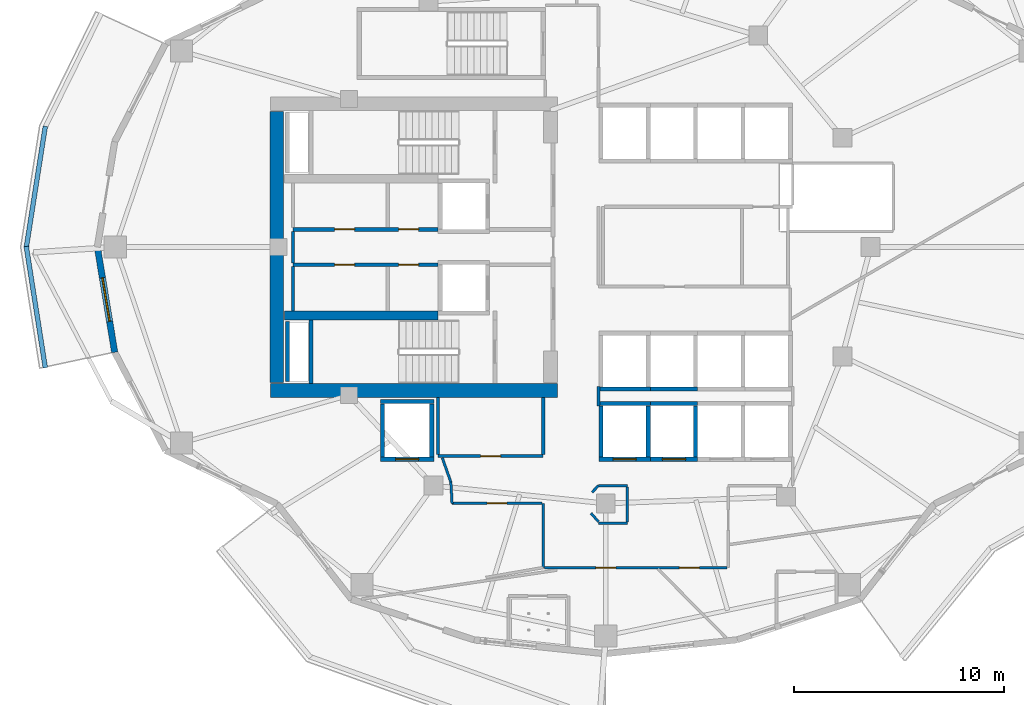
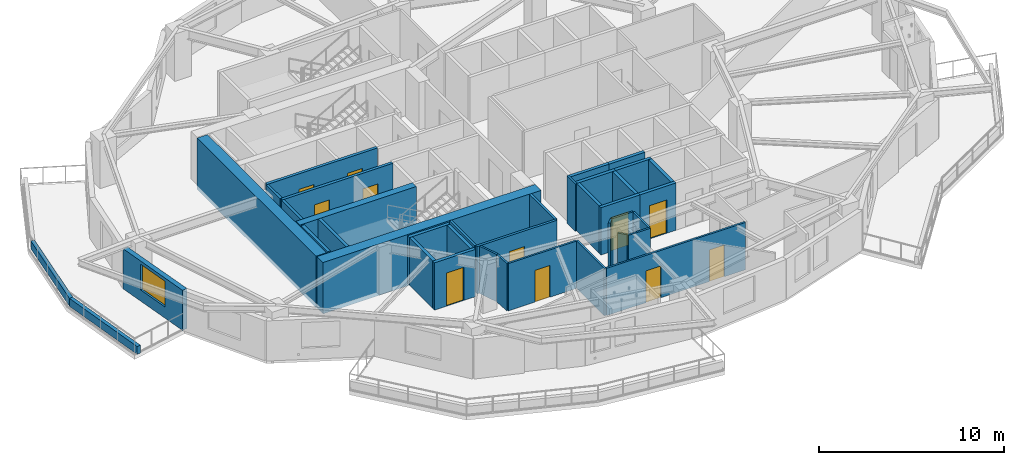
# One storey, part 3 of 14: 39 walls, 11 doors, 1 window, 12 openings.
"""IFC4 building model written with IfcOpenShell, lengths in metres."""

import ifcopenshell
import ifcopenshell.guid

model = None  # the IFC model being written
_history = None  # IfcOwnerHistory: only IFC2X3 demands one
_inside = {}  # id of a spatial element -> (the spatial element, [elements in it])
_under = {}  # id of a project, library or spatial element -> (it, [spatial elements below it])
_declared = {}  # id of a project -> (the project, [libraries it declares])
_typed = {}  # id of a type object -> (the type object, [elements of that type])
_made_of = {}  # id of a material, layer set ... -> (it, [elements and type objects made of it])


def new_model(schema):
    """Start an empty IFC model of exactly this schema.

    Asked for "IFC4X3", IfcOpenShell would pick the latest addendum, in which some entities
    have other attributes; the version numbers below select the first issue.
    IFC2X3 requires an IfcOwnerHistory on every rooted entity: one is made here for all.
    """
    global model, _history
    if schema == "IFC4X3":
        model = ifcopenshell.file(schema_version=(4, 3, 0, 0))
    else:
        model = ifcopenshell.file(schema=schema)
    _inside.clear()
    _under.clear()
    _declared.clear()
    _typed.clear()
    _made_of.clear()
    _history = None
    if model.schema == "IFC2X3":
        org = make("IfcOrganization", Name="unknown")
        user = make(
            "IfcPersonAndOrganization",
            ThePerson=make("IfcPerson", FamilyName="unknown"),
            TheOrganization=org,
        )
        app = make(
            "IfcApplication",
            ApplicationDeveloper=org,
            Version="unknown",
            ApplicationFullName="unknown",
            ApplicationIdentifier="unknown",
        )
        _history = make(
            "IfcOwnerHistory",
            OwningUser=user,
            OwningApplication=app,
            ChangeAction="ADDED",
            CreationDate=0,
        )
    return model


def make(cls, **values):
    """One entity of the class cls with the attributes given. An attribute that is None is left unset."""
    return model.create_entity(
        cls, **{name: value for name, value in values.items() if value is not None}
    )


def rooted(cls, **values):
    """An entity with a GlobalId (a new one), such as an element, a storey or a relation."""
    return make(cls, GlobalId=ifcopenshell.guid.new(), OwnerHistory=_history, **values)


def si_unit(unit_type, name, prefix=None):
    """IfcSIUnit, for example si_unit("LENGTHUNIT", "METRE", prefix="MILLI")."""
    return make("IfcSIUnit", UnitType=unit_type, Prefix=prefix, Name=name)


def assignment(units):
    """IfcUnitAssignment: the units of a project."""
    return None if units is None else make("IfcUnitAssignment", Units=units)


def point(xyz):
    """IfcCartesianPoint."""
    return None if xyz is None else make("IfcCartesianPoint", Coordinates=xyz)


def direction(xyz):
    """IfcDirection."""
    return None if xyz is None else make("IfcDirection", DirectionRatios=xyz)


def frame(location, z_axis=None, x_axis=None):
    """IfcAxis2Placement3D, a coordinate frame: its origin and axes. An axis left out is left unset."""
    return make(
        "IfcAxis2Placement3D",
        Location=point(location),
        Axis=direction(z_axis),
        RefDirection=direction(x_axis),
    )


def frame_2d(location, x_axis=None):
    """IfcAxis2Placement2D, a coordinate frame in the plane: its origin and x axis."""
    return make(
        "IfcAxis2Placement2D", Location=point(location), RefDirection=direction(x_axis)
    )


def origin():
    """The frame at (0, 0, 0) with its axes left unset."""
    return frame((0.0, 0.0, 0.0))


def place(relative_to, where):
    """IfcLocalPlacement: puts the frame where relative to a parent placement (None: the world)."""
    return make(
        "IfcLocalPlacement", PlacementRelTo=relative_to, RelativePlacement=where
    )


def context(
    kind, dimensions, precision=None, world=None, true_north=None, identifier=None
):
    """IfcGeometricRepresentationContext, for example the 3D "Model" context."""
    return make(
        "IfcGeometricRepresentationContext",
        ContextIdentifier=identifier,
        ContextType=kind,
        CoordinateSpaceDimension=dimensions,
        Precision=precision,
        WorldCoordinateSystem=world,
        TrueNorth=true_north,
    )


def subcontext(parent, identifier, kind, view, scale=None):
    """IfcGeometricRepresentationSubContext, for example "Body" below "Model"."""
    return make(
        "IfcGeometricRepresentationSubContext",
        ContextIdentifier=identifier,
        ContextType=kind,
        ParentContext=parent,
        TargetScale=scale,
        TargetView=view,
    )


def project(units=None, contexts=None):
    """IfcProject with its units and contexts."""
    return rooted(
        "IfcProject",
        Name="project",
        RepresentationContexts=contexts,
        UnitsInContext=assignment(units),
    )


def spatial(cls, under=None, at=None, **own):
    """A site, building, storey or space (cls), placed at a placement, below another one or the project."""
    s = rooted(cls, ObjectPlacement=at, **own)
    if under is not None:
        _under.setdefault(under.id(), (under, []))[1].append(s)
    return s


def profile(cls, at=None, kind="AREA", **sizes):
    """A parametric profile (cls). Its sizes go by their IFC names, for example OverallWidth=200.0."""
    return make(cls, ProfileType=kind, Position=at, **sizes)


def rectangle(**sizes):
    """IfcRectangleProfileDef."""
    return profile("IfcRectangleProfileDef", **sizes)


def extrude(swept, where, along, depth):
    """IfcExtrudedAreaSolid: the profile swept, set in the frame where, extruded along a direction by depth."""
    return make(
        "IfcExtrudedAreaSolid",
        SweptArea=swept,
        Position=where,
        ExtrudedDirection=direction(along),
        Depth=depth,
    )


def shape(context_of_items, identifier, shape_type, items):
    """IfcShapeRepresentation: the items that make up one representation, for example the "Body"."""
    return make(
        "IfcShapeRepresentation",
        ContextOfItems=context_of_items,
        RepresentationIdentifier=identifier,
        RepresentationType=shape_type,
        Items=items,
    )


def material(Name=None, Category=None):
    """IfcMaterial."""
    return make("IfcMaterial", Name=Name, Category=Category)


def layer(
    of_material, thickness, ventilated=None, Name=None, Category=None, Priority=None
):
    """IfcMaterialLayer: one layer of a wall or slab, of a material (None: an air gap)."""
    return make(
        "IfcMaterialLayer",
        Material=of_material,
        LayerThickness=thickness,
        IsVentilated=ventilated,
        Name=Name,
        Category=Category,
        Priority=Priority,
    )


def layer_set(layers, Name=None):
    """IfcMaterialLayerSet."""
    return make("IfcMaterialLayerSet", MaterialLayers=layers, LayerSetName=Name)


def made_of(thing, what):
    """Note that an element or type object is made of a material, layer set ...; save() writes the relation."""
    if what is not None:
        _made_of.setdefault(what.id(), (what, []))[1].append(thing)
    return thing


def type_object(cls, material=None, **own):
    """A type object (cls), such as IfcWallType, which elements share."""
    return made_of(rooted(cls, **own), material)


def element(
    cls,
    number,
    at=None,
    inside=None,
    cuts=None,
    type_object=None,
    material=None,
    context=None,
    identifier="Body",
    shape_type=None,
    held_by="IfcProductDefinitionShape",
    body=None,
    shapes=None,
    **own,
):
    """One element of the class cls, such as IfcWall. Its Tag is "e" and its number.

    at: its placement. inside: the storey or other place that contains it. cuts: it is an
    opening in that element (IfcRelVoidsElement). A single representation is given by context,
    identifier, shape_type and body (its items); several are given by shapes. held_by: the class
    of the entity that holds the representations. save() writes the other relations.
    """
    e = rooted(cls, Tag="e%d" % number, ObjectPlacement=at, **own)
    if body is not None:
        shapes = [shape(context, identifier, shape_type, body)]
    if shapes is not None:
        e.Representation = make(held_by, Representations=shapes)
    if inside is not None:
        _inside.setdefault(inside.id(), (inside, []))[1].append(e)
    if cuts is not None:
        rooted(
            "IfcRelVoidsElement", RelatingBuildingElement=cuts, RelatedOpeningElement=e
        )
    if type_object is not None:
        _typed.setdefault(type_object.id(), (type_object, []))[1].append(e)
    return made_of(e, material)


def fill(opening, filler):
    """IfcRelFillsElement: the door or window that sits in an opening."""
    return rooted(
        "IfcRelFillsElement",
        RelatingOpeningElement=opening,
        RelatedBuildingElement=filler,
    )


def aggregate(whole, parts):
    """IfcRelAggregates: a whole, such as a stair, and the parts it consists of."""
    return rooted("IfcRelAggregates", RelatingObject=whole, RelatedObjects=parts)


def save(model, path):
    """Write the relations noted so far, then the file.

    IfcRelAggregates (storeys below a building ...), IfcRelContainedInSpatialStructure (elements
    in a storey), IfcRelDefinesByType, IfcRelAssociatesMaterial and IfcRelDeclares: one each for
    every whole, place, type object, material and project.
    """
    for whole, parts in _under.values():
        aggregate(whole, parts)
    for where, things in _inside.values():
        rooted(
            "IfcRelContainedInSpatialStructure",
            RelatedElements=things,
            RelatingStructure=where,
        )
    for kind, things in _typed.values():
        rooted("IfcRelDefinesByType", RelatedObjects=things, RelatingType=kind)
    for what, things in _made_of.values():
        rooted("IfcRelAssociatesMaterial", RelatedObjects=things, RelatingMaterial=what)
    for by, libraries in _declared.values():
        rooted("IfcRelDeclares", RelatingContext=by, RelatedDefinitions=libraries)
    model.write(path)


model = new_model("IFC4")

# Units and contexts
model_context = context("Model", 3, precision=1e-05, world=origin(), true_north=direction((0.0, 1.0)))
body_context = subcontext(model_context, "Body", "Model", "MODEL_VIEW")
ifc_project = project(units=[si_unit("LENGTHUNIT", "METRE"), si_unit("AREAUNIT", "SQUARE_METRE"), si_unit("VOLUMEUNIT", "CUBIC_METRE"), si_unit("PLANEANGLEUNIT", "RADIAN"), si_unit("MASSUNIT", "GRAM", prefix="KILO")], contexts=[model_context])

# Site, building, storey
site_placement = place(None, origin())
site = spatial("IfcSite", under=ifc_project, at=site_placement, CompositionType="ELEMENT")
building_placement = place(site_placement, origin())
building = spatial("IfcBuilding", under=site, at=building_placement, Name="Kolvaren Gate Tower and Convention Centre", CompositionType="ELEMENT")
storey_placement = place(building_placement, frame((0.0, 0.0, 105.300048828125)))
storey = spatial("IfcBuildingStorey", under=building, at=storey_placement, Name="L25", CompositionType="ELEMENT", Elevation=105.300048828125)

# Wall, openings, doors
ifc_material_1 = material(Name="Autoclaved Aerated Masonry Blockwork Class 4 (4.0 MPa)", Category="masonry")
ifc_layer_1 = layer(ifc_material_1, 0.179931640625)
ifc_layer_set_1 = layer_set([ifc_layer_1], Name="Autoclaved Aerated Masonry Blockwork Class 4 (4.0 MPa)")
wall_type_1 = type_object("IfcWallType", Name="ARCH-WL-COMP-180", PredefinedType="SOLIDWALL", material=ifc_layer_set_1)
wall_1_placement = place(storey_placement, frame((15.25, 27.840087890625, 0.0), z_axis=(0.0, 0.0, 1.0), x_axis=(1.0, 0.0, 0.0)))
wall_1 = element("IfcWall", 1, at=wall_1_placement, inside=storey, type_object=wall_type_1, Name="Interior Partition WL-L25-INT-004", PredefinedType="SOLIDWALL", context=body_context, shape_type="SweptSolid", body=[
    extrude(rectangle(XDim=6.89990234375, YDim=0.179931640625, at=frame_2d((3.449951171875, 0.0))), origin(), (0.0, 0.0, 1.0), 3.1298828125),
])
opening_1_placement = place(wall_1_placement, frame((5.02001953125, 0.0, 0.0)))
opening_1 = element("IfcOpeningElement", 2, at=opening_1_placement, cuts=wall_1, Name="Opening DR-01", PredefinedType="OPENING", context=body_context, shape_type="SweptSolid", body=[
    extrude(rectangle(XDim=0.949951171875, YDim=2.10009765625, at=frame_2d((0.47509765625, 1.050048828125))), frame((0.0, 0.099853515625, 0.0), z_axis=(0.0, -1.0, 0.0), x_axis=(1.0, 0.0, 0.0)), (0.0, 0.0, 1.0), 0.199951171875),
])
opening_2_placement = place(wall_1_placement, frame((1.97998046875, 0.0, 0.0)))
opening_2 = element("IfcOpeningElement", 3, at=opening_2_placement, cuts=wall_1, Name="Opening DR-01", PredefinedType="OPENING", context=body_context, shape_type="SweptSolid", body=[
    extrude(rectangle(XDim=0.949951171875, YDim=2.10009765625, at=frame_2d((0.47509765625, 1.050048828125))), frame((0.0, 0.099853515625, 0.0), z_axis=(0.0, -1.0, 0.0), x_axis=(1.0, 0.0, 0.0)), (0.0, 0.0, 1.0), 0.199951171875),
])
ifc_material_2 = material(Name="Painted Architectural Steelwork ASTM A500 Grade C 345 MPa", Category="steel")
door_type_1 = type_object("IfcDoorType", Name="ARCH-DR-RISER-950", OperationType="SINGLE_SWING_RIGHT", PredefinedType="DOOR", material=ifc_material_2)
door_1_placement = place(opening_1_placement, origin())
door_1 = element("IfcDoor", 4, at=door_1_placement, inside=storey, type_object=door_type_1, Name="Electrical Switchgear Closet Door", OperationType="SINGLE_SWING_LEFT", OverallHeight=2.10009765625, OverallWidth=0.949951171875, PredefinedType="DOOR", context=body_context, shape_type="SweptSolid", body=[
    extrude(rectangle(XDim=0.949951171875, YDim=2.10009765625, at=frame_2d((0.47509765625, 1.050048828125))), frame((0.0, 0.02490234375, 0.0), z_axis=(0.0, -1.0, 0.0), x_axis=(1.0, 0.0, 0.0)), (0.0, 0.0, 1.0), 0.050048828125),
])
fill(opening_1, door_1)
door_2_placement = place(opening_2_placement, origin())
door_2 = element("IfcDoor", 5, at=door_2_placement, inside=storey, type_object=door_type_1, Name="Staff Powder Washroom Door", OperationType="SINGLE_SWING_LEFT", OverallHeight=2.10009765625, OverallWidth=0.949951171875, PredefinedType="DOOR", context=body_context, shape_type="SweptSolid", body=[
    extrude(rectangle(XDim=0.949951171875, YDim=2.10009765625, at=frame_2d((0.47509765625, 1.050048828125))), frame((0.0, 0.02490234375, 0.0), z_axis=(0.0, -1.0, 0.0), x_axis=(1.0, 0.0, 0.0)), (0.0, 0.0, 1.0), 0.050048828125),
])
fill(opening_2, door_2)

wall_2_placement = place(storey_placement, frame((15.25, 26.159912109375, 0.0), z_axis=(0.0, 0.0, 1.0), x_axis=(1.0, 0.0, 0.0)))
wall_2 = element("IfcWall", 6, at=wall_2_placement, inside=storey, type_object=wall_type_1, Name="Interior Partition WL-L25-INT-005", PredefinedType="SOLIDWALL", context=body_context, shape_type="SweptSolid", body=[
    extrude(rectangle(XDim=6.89990234375, YDim=0.179931640625, at=frame_2d((3.449951171875, 0.0))), origin(), (0.0, 0.0, 1.0), 3.1298828125),
])
opening_3_placement = place(wall_2_placement, frame((5.02001953125, 0.0, 0.0)))
opening_3 = element("IfcOpeningElement", 7, at=opening_3_placement, cuts=wall_2, Name="Opening DR-01", PredefinedType="OPENING", context=body_context, shape_type="SweptSolid", body=[
    extrude(rectangle(XDim=0.949951171875, YDim=2.10009765625, at=frame_2d((0.47509765625, 1.050048828125))), frame((0.0, 0.099853515625, 0.0), z_axis=(0.0, -1.0, 0.0), x_axis=(1.0, 0.0, 0.0)), (0.0, 0.0, 1.0), 0.199951171875),
])
opening_4_placement = place(wall_2_placement, frame((1.97998046875, 0.0, 0.0)))
opening_4 = element("IfcOpeningElement", 8, at=opening_4_placement, cuts=wall_2, Name="Opening DR-01", PredefinedType="OPENING", context=body_context, shape_type="SweptSolid", body=[
    extrude(rectangle(XDim=0.949951171875, YDim=2.10009765625, at=frame_2d((0.47509765625, 1.050048828125))), frame((0.0, 0.099853515625, 0.0), z_axis=(0.0, -1.0, 0.0), x_axis=(1.0, 0.0, 0.0)), (0.0, 0.0, 1.0), 0.199951171875),
])
door_3_placement = place(opening_3_placement, origin())
door_3 = element("IfcDoor", 9, at=door_3_placement, inside=storey, type_object=door_type_1, Name="Domestic Water Meter Closet Door", OperationType="SINGLE_SWING_RIGHT", OverallHeight=2.10009765625, OverallWidth=0.949951171875, PredefinedType="DOOR", context=body_context, shape_type="SweptSolid", body=[
    extrude(rectangle(XDim=0.949951171875, YDim=2.10009765625, at=frame_2d((0.47509765625, 1.050048828125))), frame((0.0, 0.02490234375, 0.0), z_axis=(0.0, -1.0, 0.0), x_axis=(1.0, 0.0, 0.0)), (0.0, 0.0, 1.0), 0.050048828125),
])
fill(opening_3, door_3)
door_4_placement = place(opening_4_placement, origin())
door_4 = element("IfcDoor", 10, at=door_4_placement, inside=storey, type_object=door_type_1, Name="Janitor Equipment Store Door", OperationType="SINGLE_SWING_RIGHT", OverallHeight=2.10009765625, OverallWidth=0.949951171875, PredefinedType="DOOR", context=body_context, shape_type="SweptSolid", body=[
    extrude(rectangle(XDim=0.949951171875, YDim=2.10009765625, at=frame_2d((0.47509765625, 1.050048828125))), frame((0.0, 0.02490234375, 0.0), z_axis=(0.0, -1.0, 0.0), x_axis=(1.0, 0.0, 0.0)), (0.0, 0.0, 1.0), 0.050048828125),
])
fill(opening_4, door_4)

# Walls
ifc_material_3 = material(Name="Fire-Rated Acoustic Gypsum Stud Partition", Category="gypsum")
ifc_layer_2 = layer(ifc_material_3, 0.1201171875)
ifc_layer_set_2 = layer_set([ifc_layer_2], Name="Fire-Rated Acoustic Gypsum Stud Partition")
wall_type_2 = type_object("IfcWallType", Name="ARCH-WL-PART-120", PredefinedType="PARTITIONING", material=ifc_layer_set_2)
wall_3_placement = place(storey_placement, frame((27.14990234375, 11.75, 0.0), z_axis=(0.0, 0.0, 1.0), x_axis=(0.0, 1.0, 0.0)))
element("IfcWall", 11, at=wall_3_placement, inside=storey, type_object=wall_type_2, Name="Interior Partition WL-L25-INT-011", PredefinedType="PARTITIONING", context=body_context, shape_type="SweptSolid", body=[
    extrude(rectangle(XDim=3.050048828125, YDim=0.1201171875, at=frame_2d((1.52490234375, 0.0))), origin(), (0.0, 0.0, 1.0), 3.1298828125),
])
wall_4_placement = place(storey_placement, frame((29.780029296875, 15.64990234375, 0.0), z_axis=(0.0, 0.0, 1.0), x_axis=(1.0, 0.0, 0.0)))
element("IfcWall", 12, at=wall_4_placement, inside=storey, type_object=wall_type_2, Name="Interior Partition WL-L25-INT-018", PredefinedType="PARTITIONING", context=body_context, shape_type="SweptSolid", body=[
    extrude(rectangle(XDim=1.369873046875, YDim=0.1201171875, at=frame_2d((0.68505859375, 0.0))), origin(), (0.0, 0.0, 1.0), 3.1298828125),
])

# Wall, openings, doors
wall_5_placement = place(storey_placement, frame((27.2119140625, 11.75, 0.0), z_axis=(0.0, 0.0, 1.0), x_axis=(1.0, 0.0, 0.0)))
wall_5 = element("IfcWall", 13, at=wall_5_placement, inside=storey, type_object=wall_type_2, Name="Interior Partition WL-L25-INT-021", PredefinedType="PARTITIONING", context=body_context, shape_type="SweptSolid", body=[
    extrude(rectangle(XDim=8.676025390625, YDim=0.1201171875, at=frame_2d((4.337890625, 0.0))), origin(), (0.0, 0.0, 1.0), 3.1298828125),
])
opening_5_placement = place(wall_5_placement, frame((2.4443359375, 0.0, 0.0)))
opening_5 = element("IfcOpeningElement", 14, at=opening_5_placement, cuts=wall_5, Name="Opening DR-01", PredefinedType="OPENING", context=body_context, shape_type="SweptSolid", body=[
    extrude(rectangle(XDim=0.949951171875, YDim=2.10009765625, at=frame_2d((0.47509765625, 1.050048828125))), frame((0.0, 0.070068359375, 0.0), z_axis=(0.0, -1.0, 0.0), x_axis=(1.0, 0.0, 0.0)), (0.0, 0.0, 1.0), 0.14013671875),
])
opening_6_placement = place(wall_5_placement, frame((6.414794921875, 0.0, 0.0)))
opening_6 = element("IfcOpeningElement", 15, at=opening_6_placement, cuts=wall_5, Name="Opening DR-01", PredefinedType="OPENING", context=body_context, shape_type="SweptSolid", body=[
    extrude(rectangle(XDim=0.949951171875, YDim=2.10009765625, at=frame_2d((0.47509765625, 1.050048828125))), frame((0.0, 0.070068359375, 0.0), z_axis=(0.0, -1.0, 0.0), x_axis=(1.0, 0.0, 0.0)), (0.0, 0.0, 1.0), 0.14013671875),
])
door_5_placement = place(opening_5_placement, origin())
door_5 = element("IfcDoor", 16, at=door_5_placement, inside=storey, type_object=door_type_1, Name="Hotel Guest Room (HTL-L25-01) Door", OperationType="SINGLE_SWING_RIGHT", OverallHeight=2.10009765625, OverallWidth=0.949951171875, PredefinedType="DOOR", context=body_context, shape_type="SweptSolid", body=[
    extrude(rectangle(XDim=0.949951171875, YDim=2.10009765625, at=frame_2d((0.47509765625, 1.050048828125))), frame((0.0, 0.02490234375, 0.0), z_axis=(0.0, -1.0, 0.0), x_axis=(1.0, 0.0, 0.0)), (0.0, 0.0, 1.0), 0.050048828125),
])
fill(opening_5, door_5)
door_6_placement = place(opening_6_placement, origin())
door_6 = element("IfcDoor", 17, at=door_6_placement, inside=storey, type_object=door_type_1, Name="Hotel Guest Room (HTL-L25-02) Door", OperationType="SINGLE_SWING_LEFT", OverallHeight=2.10009765625, OverallWidth=0.949951171875, PredefinedType="DOOR", context=body_context, shape_type="SweptSolid", body=[
    extrude(rectangle(XDim=0.949951171875, YDim=2.10009765625, at=frame_2d((0.47509765625, 1.050048828125))), frame((0.0, 0.02490234375, 0.0), z_axis=(0.0, -1.0, 0.0), x_axis=(1.0, 0.0, 0.0)), (0.0, 0.0, 1.0), 0.050048828125),
])
fill(opening_6, door_6)

# Wall, opening, door
wall_6_placement = place(storey_placement, frame((22.81396484375, 14.800048828125, 0.0), z_axis=(0.0, 0.0, 1.0), x_axis=(1.0, 0.0, 0.0)))
wall_6 = element("IfcWall", 18, at=wall_6_placement, inside=storey, type_object=wall_type_2, Name="Interior Partition WL-L25-INT-022", PredefinedType="PARTITIONING", context=body_context, shape_type="SweptSolid", body=[
    extrude(rectangle(XDim=4.27392578125, YDim=0.1201171875, at=frame_2d((2.136962890625, 0.0))), origin(), (0.0, 0.0, 1.0), 3.1298828125),
])
opening_7_placement = place(wall_6_placement, frame((1.662109375, 0.0, 0.0)))
opening_7 = element("IfcOpeningElement", 19, at=opening_7_placement, cuts=wall_6, Name="Opening DR-01", PredefinedType="OPENING", context=body_context, shape_type="SweptSolid", body=[
    extrude(rectangle(XDim=0.949951171875, YDim=2.10009765625, at=frame_2d((0.47509765625, 1.050048828125))), frame((0.0, 0.070068359375, 0.0), z_axis=(0.0, -1.0, 0.0), x_axis=(1.0, 0.0, 0.0)), (0.0, 0.0, 1.0), 0.14013671875),
])
door_7_placement = place(opening_7_placement, origin())
door_7 = element("IfcDoor", 20, at=door_7_placement, inside=storey, type_object=door_type_1, Name="Hotel Botanical Clubroom Door", OperationType="SINGLE_SWING_RIGHT", OverallHeight=2.10009765625, OverallWidth=0.949951171875, PredefinedType="DOOR", context=body_context, shape_type="SweptSolid", body=[
    extrude(rectangle(XDim=0.949951171875, YDim=2.10009765625, at=frame_2d((0.47509765625, 1.050048828125))), frame((0.0, 0.02490234375, 0.0), z_axis=(0.0, -1.0, 0.0), x_axis=(1.0, 0.0, 0.0)), (0.0, 0.0, 1.0), 0.050048828125),
])
fill(opening_7, door_7)

# Walls
wall_7_placement = place(storey_placement, frame((22.756103515625, 15.81103515625, 0.0), z_axis=(0.0, 0.0, 1.0), x_axis=(0.057139047697, -0.998366230012, 0.0)))
element("IfcWall", 21, at=wall_7_placement, inside=storey, type_object=wall_type_2, Name="Interior Partition WL-L25-INT-023", PredefinedType="PARTITIONING", context=body_context, shape_type="SweptSolid", body=[
    extrude(rectangle(XDim=1.0126953125, YDim=0.1201171875, at=frame_2d((0.50634765625, 0.0))), origin(), (0.0, 0.0, 1.0), 3.1298828125),
])
wall_8_placement = place(storey_placement, frame((22.347900390625, 16.972900390625, 0.0), z_axis=(0.0, 0.0, 1.0), x_axis=(0.331471687044, -0.943465166653, 0.0)))
element("IfcWall", 22, at=wall_8_placement, inside=storey, type_object=wall_type_2, Name="Interior Partition WL-L25-INT-024", PredefinedType="PARTITIONING", context=body_context, shape_type="SweptSolid", body=[
    extrude(rectangle(XDim=1.2314453125, YDim=0.1201171875, at=frame_2d((0.61572265625, 0.0))), origin(), (0.0, 0.0, 1.0), 3.1298828125),
])
wall_9_placement = place(storey_placement, frame((29.780029296875, 19.43994140625, 0.0), z_axis=(0.0, 0.0, 1.0), x_axis=(0.0, 1.0, 0.0)))
element("IfcWall", 23, at=wall_9_placement, inside=storey, type_object=wall_type_2, Name="Interior Partition WL-L25-INT-027", PredefinedType="PARTITIONING", context=body_context, shape_type="SweptSolid", body=[
    extrude(rectangle(XDim=0.920166015625, YDim=0.1201171875, at=frame_2d((0.4599609375, 0.0))), origin(), (0.0, 0.0, 1.0), 3.1298828125),
])
wall_10_placement = place(storey_placement, frame((29.427001953125, 14.3330078125, 0.0), z_axis=(0.0, 0.0, 1.0), x_axis=(0.659763469355, -0.751473329204, 0.0)))
element("IfcWall", 24, at=wall_10_placement, inside=storey, type_object=wall_type_2, Name="Interior Partition WL-L25-INT-034", PredefinedType="PARTITIONING", context=body_context, shape_type="SweptSolid", body=[
    extrude(rectangle(XDim=0.53515625, YDim=0.1201171875, at=frame_2d((0.267578125, 0.0))), origin(), (0.0, 0.0, 1.0), 3.1298828125),
])
wall_11_placement = place(storey_placement, frame((29.780029296875, 13.85009765625, 0.0), z_axis=(0.0, 0.0, 1.0), x_axis=(1.0, 0.0, 0.0)))
element("IfcWall", 25, at=wall_11_placement, inside=storey, type_object=wall_type_2, Name="Interior Partition WL-L25-INT-035", PredefinedType="PARTITIONING", context=body_context, shape_type="SweptSolid", body=[
    extrude(rectangle(XDim=1.369873046875, YDim=0.1201171875, at=frame_2d((0.68505859375, 0.0))), origin(), (0.0, 0.0, 1.0), 3.1298828125),
])
wall_12_placement = place(storey_placement, frame((31.14990234375, 13.912109375, 0.0), z_axis=(0.0, 0.0, 1.0), x_axis=(0.0, 1.0, 0.0)))
element("IfcWall", 26, at=wall_12_placement, inside=storey, type_object=wall_type_2, Name="Interior Partition WL-L25-INT-036", PredefinedType="PARTITIONING", context=body_context, shape_type="SweptSolid", body=[
    extrude(rectangle(XDim=1.67578125, YDim=0.1201171875, at=frame_2d((0.837890625, 0.0))), origin(), (0.0, 0.0, 1.0), 3.1298828125),
])
wall_13_placement = place(storey_placement, frame((29.47607421875, 15.3330078125, 0.0), z_axis=(0.0, 0.0, 1.0), x_axis=(0.692219273951, 0.721687243043, 0.0)))
element("IfcWall", 27, at=wall_13_placement, inside=storey, type_object=wall_type_2, Name="Interior Partition WL-L25-INT-037", PredefinedType="PARTITIONING", context=body_context, shape_type="SweptSolid", body=[
    extrude(rectangle(XDim=0.439208984375, YDim=0.1201171875, at=frame_2d((0.2197265625, 0.0))), origin(), (0.0, 0.0, 1.0), 3.1298828125),
])
ifc_material_4 = material(Name="Piedmont Cream Honed Limestone Cladding", Category="masonry")
ifc_layer_3 = layer(ifc_material_4, 0.219970703125)
ifc_layer_set_3 = layer_set([ifc_layer_3], Name="Piedmont Cream Honed Limestone Cladding")
wall_type_3 = type_object("IfcWallType", Name="ARCH-WL-PLANTER-220", PredefinedType="PARAPET", material=ifc_layer_set_3)
for number, where, z_axis, x_axis, name in (
    (28, (2.555908203125, 26.970703125, 0.0), (0.0, 0.0, 1.0), (0.154903030247, 0.987929679289, 0.0), "Vertical-Forest Balcony Stone Planter Kerb PK-L25-2.2"),
    (29, (2.555908203125, 27.029296875, 0.0), (0.0, 0.0, 1.0), (0.154903030247, -0.987929679289, 0.0), "Vertical-Forest Balcony Stone Planter Kerb PK-L25-2.3"),
):
    element("IfcWall", number, at=place(storey_placement, frame(where, z_axis=z_axis, x_axis=x_axis)), inside=storey, type_object=wall_type_3, Name=name, PredefinedType="PARAPET", context=body_context, shape_type="SweptSolid", body=[
        extrude(rectangle(XDim=5.845703125, YDim=0.219970703125, at=frame_2d((2.9228515625, 0.0))), origin(), (0.0, 0.0, 1.0), 0.52001953125),
    ])
ifc_layer_4 = layer(ifc_material_1, 0.199951171875)
ifc_layer_set_4 = layer_set([ifc_layer_4], Name="Autoclaved Aerated Masonry Blockwork Class 4 (4.0 MPa)")
wall_type_4 = type_object("IfcWallType", Name="ARCH-WL-SHAFT-200", PredefinedType="SOLIDWALL", material=ifc_layer_set_4)
wall_14_placement = place(storey_placement, frame((19.39990234375, 19.64990234375, 0.0), z_axis=(0.0, 0.0, 1.0), x_axis=(1.0, 0.0, 0.0)))
element("IfcWall", 30, at=wall_14_placement, inside=storey, type_object=wall_type_4, Name="Elevator SV-01 L25 Fire Shaft Wall N", PredefinedType="SOLIDWALL", context=body_context, shape_type="SweptSolid", body=[
    extrude(rectangle(XDim=2.550048828125, YDim=0.199951171875, at=frame_2d((1.27490234375, 0.0))), origin(), (0.0, 0.0, 1.0), 3.1298828125),
])

# Wall, opening, door
wall_15_placement = place(storey_placement, frame((19.39990234375, 16.89990234375, 0.0), z_axis=(0.0, 0.0, 1.0), x_axis=(1.0, 0.0, 0.0)))
wall_15 = element("IfcWall", 31, at=wall_15_placement, inside=storey, type_object=wall_type_4, Name="Elevator SV-01 L25 Fire Shaft Wall S", PredefinedType="SOLIDWALL", context=body_context, shape_type="SweptSolid", body=[
    extrude(rectangle(XDim=2.550048828125, YDim=0.199951171875, at=frame_2d((1.27490234375, 0.0))), origin(), (0.0, 0.0, 1.0), 3.1298828125),
])
opening_8_placement = place(wall_15_placement, frame((0.72509765625, 0.0, 0.0)))
opening_8 = element("IfcOpeningElement", 32, at=opening_8_placement, cuts=wall_15, Name="Opening LD", PredefinedType="OPENING", context=body_context, shape_type="SweptSolid", body=[
    extrude(rectangle(XDim=1.10009765625, YDim=2.199951171875, at=frame_2d((0.550048828125, 1.10009765625))), frame((0.0, 0.10986328125, 0.0), z_axis=(0.0, -1.0, 0.0), x_axis=(1.0, 0.0, 0.0)), (0.0, 0.0, 1.0), 0.219970703125),
])
ifc_material_5 = material(Name="Brushed Stainless Steel Grade 316L", Category="steel")
door_type_2 = type_object("IfcDoorType", Name="ARCH-DR-LIFT-1100", OperationType="SLIDING_TO_LEFT", PredefinedType="DOOR", material=ifc_material_5)
door_8_placement = place(opening_8_placement, origin())
door_8 = element("IfcDoor", 33, at=door_8_placement, inside=storey, type_object=door_type_2, Name="Elevator SV-01 L25 Sliding Landing Door", OperationType="SLIDING_TO_LEFT", OverallHeight=2.199951171875, OverallWidth=1.10009765625, PredefinedType="DOOR", context=body_context, shape_type="SweptSolid", body=[
    extrude(rectangle(XDim=1.10009765625, YDim=2.199951171875, at=frame_2d((0.550048828125, 1.10009765625))), frame((0.0, 0.02490234375, 0.0), z_axis=(0.0, -1.0, 0.0), x_axis=(1.0, 0.0, 0.0)), (0.0, 0.0, 1.0), 0.050048828125),
])
fill(opening_8, door_8)

# Walls
for number, where, z_axis, x_axis, name in (
    (34, (19.5, 17.010009765625, 0.0), (0.0, 0.0, 1.0), (0.0, 1.0, 0.0), "Elevator SV-01 L25 Fire Shaft Wall W"),
    (35, (21.85009765625, 17.010009765625, 0.0), (0.0, 0.0, 1.0), (0.0, 1.0, 0.0), "Elevator SV-01 L25 Fire Shaft Wall E"),
):
    element("IfcWall", number, at=place(storey_placement, frame(where, z_axis=z_axis, x_axis=x_axis)), inside=storey, type_object=wall_type_4, Name=name, PredefinedType="SOLIDWALL", context=body_context, shape_type="SweptSolid", body=[
        extrude(rectangle(XDim=2.530029296875, YDim=0.199951171875, at=frame_2d((1.26513671875, 0.0))), origin(), (0.0, 0.0, 1.0), 3.1298828125),
    ])
wall_16_placement = place(storey_placement, frame((29.800048828125, 19.550048828125, 0.0), z_axis=(0.0, 0.0, 1.0), x_axis=(1.0, 0.0, 0.0)))
element("IfcWall", 36, at=wall_16_placement, inside=storey, type_object=wall_type_4, Name="Elevator PL-05 L25 Fire Shaft Wall N", PredefinedType="SOLIDWALL", context=body_context, shape_type="SweptSolid", body=[
    extrude(rectangle(XDim=2.449951171875, YDim=0.199951171875, at=frame_2d((1.22509765625, 0.0))), origin(), (0.0, 0.0, 1.0), 3.1298828125),
])

# Wall, opening, door
wall_17_placement = place(storey_placement, frame((29.800048828125, 16.89990234375, 0.0), z_axis=(0.0, 0.0, 1.0), x_axis=(1.0, 0.0, 0.0)))
wall_17 = element("IfcWall", 37, at=wall_17_placement, inside=storey, type_object=wall_type_4, Name="Elevator PL-05 L25 Fire Shaft Wall S", PredefinedType="SOLIDWALL", context=body_context, shape_type="SweptSolid", body=[
    extrude(rectangle(XDim=2.449951171875, YDim=0.199951171875, at=frame_2d((1.22509765625, 0.0))), origin(), (0.0, 0.0, 1.0), 3.1298828125),
])
opening_9_placement = place(wall_17_placement, frame((0.675048828125, 0.0, 0.0)))
opening_9 = element("IfcOpeningElement", 38, at=opening_9_placement, cuts=wall_17, Name="Opening LD", PredefinedType="OPENING", context=body_context, shape_type="SweptSolid", body=[
    extrude(rectangle(XDim=1.10009765625, YDim=2.199951171875, at=frame_2d((0.550048828125, 1.10009765625))), frame((0.0, 0.10986328125, 0.0), z_axis=(0.0, -1.0, 0.0), x_axis=(1.0, 0.0, 0.0)), (0.0, 0.0, 1.0), 0.219970703125),
])
door_9_placement = place(opening_9_placement, origin())
door_9 = element("IfcDoor", 39, at=door_9_placement, inside=storey, type_object=door_type_2, Name="Elevator PL-05 L25 Sliding Landing Door", OperationType="SLIDING_TO_LEFT", OverallHeight=2.199951171875, OverallWidth=1.10009765625, PredefinedType="DOOR", context=body_context, shape_type="SweptSolid", body=[
    extrude(rectangle(XDim=1.10009765625, YDim=2.199951171875, at=frame_2d((0.550048828125, 1.10009765625))), frame((0.0, 0.02490234375, 0.0), z_axis=(0.0, -1.0, 0.0), x_axis=(1.0, 0.0, 0.0)), (0.0, 0.0, 1.0), 0.050048828125),
])
fill(opening_9, door_9)

# Walls
for number, where, z_axis, x_axis, name in (
    (40, (29.89990234375, 17.010009765625, 0.0), (0.0, 0.0, 1.0), (0.0, 1.0, 0.0), "Elevator PL-05 L25 Fire Shaft Wall W"),
    (41, (32.14990234375, 17.010009765625, 0.0), (0.0, 0.0, 1.0), (0.0, 1.0, 0.0), "Elevator PL-05 L25 Fire Shaft Wall E"),
):
    element("IfcWall", number, at=place(storey_placement, frame(where, z_axis=z_axis, x_axis=x_axis)), inside=storey, type_object=wall_type_4, Name=name, PredefinedType="SOLIDWALL", context=body_context, shape_type="SweptSolid", body=[
        extrude(rectangle(XDim=2.429931640625, YDim=0.199951171875, at=frame_2d((1.21484375, 0.0))), origin(), (0.0, 0.0, 1.0), 3.1298828125),
    ])
wall_18_placement = place(storey_placement, frame((32.25, 19.550048828125, 0.0), z_axis=(0.0, 0.0, 1.0), x_axis=(1.0, 0.0, 0.0)))
element("IfcWall", 42, at=wall_18_placement, inside=storey, type_object=wall_type_4, Name="Elevator PL-06 L25 Fire Shaft Wall N", PredefinedType="SOLIDWALL", context=body_context, shape_type="SweptSolid", body=[
    extrude(rectangle(XDim=2.25, YDim=0.199951171875, at=frame_2d((1.125, 0.0))), origin(), (0.0, 0.0, 1.0), 3.1298828125),
])

# Wall, opening, door
wall_19_placement = place(storey_placement, frame((32.25, 16.89990234375, 0.0), z_axis=(0.0, 0.0, 1.0), x_axis=(1.0, 0.0, 0.0)))
wall_19 = element("IfcWall", 43, at=wall_19_placement, inside=storey, type_object=wall_type_4, Name="Elevator PL-06 L25 Fire Shaft Wall S", PredefinedType="SOLIDWALL", context=body_context, shape_type="SweptSolid", body=[
    extrude(rectangle(XDim=2.25, YDim=0.199951171875, at=frame_2d((1.125, 0.0))), origin(), (0.0, 0.0, 1.0), 3.1298828125),
])
opening_10_placement = place(wall_19_placement, frame((0.574951171875, 0.0, 0.0)))
opening_10 = element("IfcOpeningElement", 44, at=opening_10_placement, cuts=wall_19, Name="Opening LD", PredefinedType="OPENING", context=body_context, shape_type="SweptSolid", body=[
    extrude(rectangle(XDim=1.10009765625, YDim=2.199951171875, at=frame_2d((0.550048828125, 1.10009765625))), frame((0.0, 0.10986328125, 0.0), z_axis=(0.0, -1.0, 0.0), x_axis=(1.0, 0.0, 0.0)), (0.0, 0.0, 1.0), 0.219970703125),
])
door_10_placement = place(opening_10_placement, origin())
door_10 = element("IfcDoor", 45, at=door_10_placement, inside=storey, type_object=door_type_2, Name="Elevator PL-06 L25 Sliding Landing Door", OperationType="SLIDING_TO_LEFT", OverallHeight=2.199951171875, OverallWidth=1.10009765625, PredefinedType="DOOR", context=body_context, shape_type="SweptSolid", body=[
    extrude(rectangle(XDim=1.10009765625, YDim=2.199951171875, at=frame_2d((0.550048828125, 1.10009765625))), frame((0.0, 0.02490234375, 0.0), z_axis=(0.0, -1.0, 0.0), x_axis=(1.0, 0.0, 0.0)), (0.0, 0.0, 1.0), 0.050048828125),
])
fill(opening_10, door_10)

# Walls
wall_20_placement = place(storey_placement, frame((34.39990234375, 17.010009765625, 0.0), z_axis=(0.0, 0.0, 1.0), x_axis=(0.0, 1.0, 0.0)))
element("IfcWall", 46, at=wall_20_placement, inside=storey, type_object=wall_type_4, Name="Elevator PL-06 L25 Fire Shaft Wall E", PredefinedType="SOLIDWALL", context=body_context, shape_type="SweptSolid", body=[
    extrude(rectangle(XDim=2.429931640625, YDim=0.199951171875, at=frame_2d((1.21484375, 0.0))), origin(), (0.0, 0.0, 1.0), 3.1298828125),
])
wall_21_placement = place(storey_placement, frame((29.800048828125, 20.25, 0.0), z_axis=(0.0, 0.0, 1.0), x_axis=(1.0, 0.0, 0.0)))
element("IfcWall", 47, at=wall_21_placement, inside=storey, type_object=wall_type_4, Name="Elevator PL-09 L25 Fire Shaft Wall S", PredefinedType="SOLIDWALL", context=body_context, shape_type="SweptSolid", body=[
    extrude(rectangle(XDim=2.449951171875, YDim=0.199951171875, at=frame_2d((1.22509765625, 0.0))), origin(), (0.0, 0.0, 1.0), 3.1298828125),
])
wall_22_placement = place(storey_placement, frame((32.25, 20.25, 0.0), z_axis=(0.0, 0.0, 1.0), x_axis=(1.0, 0.0, 0.0)))
element("IfcWall", 48, at=wall_22_placement, inside=storey, type_object=wall_type_4, Name="Elevator PL-10 L25 Fire Shaft Wall S", PredefinedType="SOLIDWALL", context=body_context, shape_type="SweptSolid", body=[
    extrude(rectangle(XDim=2.25, YDim=0.199951171875, at=frame_2d((1.125, 0.0))), origin(), (0.0, 0.0, 1.0), 3.1298828125),
])
wall_23_placement = place(storey_placement, frame((14.989990234375, 20.60009765625, 0.0), z_axis=(0.0, 0.0, 1.0), x_axis=(0.0, 1.0, 0.0)))
element("IfcWall", 49, at=wall_23_placement, inside=storey, type_object=wall_type_4, Name="Vertical Shaft MPR L25 EI-120 Enclosure Wall W", PredefinedType="SOLIDWALL", context=body_context, shape_type="SweptSolid", body=[
    extrude(rectangle(XDim=2.849853515625, YDim=0.199951171875, at=frame_2d((1.4248046875, 0.0))), origin(), (0.0, 0.0, 1.0), 3.1298828125),
])

# Wall, opening, window
ifc_layer_5 = layer(ifc_material_4, 0.300048828125)
ifc_layer_set_5 = layer_set([ifc_layer_5], Name="Piedmont Cream Honed Limestone Cladding")
wall_type_5 = type_object("IfcWallType", Name="ARCH-WL-STONE-300", PredefinedType="SOLIDWALL", material=ifc_layer_set_5)
wall_24_placement = place(storey_placement, frame((5.9375, 27.0, 0.0), z_axis=(0.0, 0.0, 1.0), x_axis=(0.162393944769, -0.986726003864, 0.0)))
wall_24 = element("IfcWall", 50, at=wall_24_placement, inside=storey, type_object=wall_type_5, Name="Tower L25 Honed Stone Spandrel Wall EW-12", PredefinedType="SOLIDWALL", context=body_context, shape_type="SweptSolid", body=[
    extrude(rectangle(XDim=5.075439453125, YDim=0.300048828125, at=frame_2d((2.53759765625, 0.0))), origin(), (0.0, 0.0, 1.0), 2.65283203125),
])
opening_11_placement = place(wall_24_placement, frame((1.488037109375, 0.0, 0.739990234375)))
opening_11 = element("IfcOpeningElement", 51, at=opening_11_placement, cuts=wall_24, Name="Opening W-02", PredefinedType="OPENING", context=body_context, shape_type="SweptSolid", body=[
    extrude(rectangle(XDim=2.10009765625, YDim=1.699951171875, at=frame_2d((1.050048828125, 0.85009765625))), frame((0.0, 0.159912109375, 0.0), z_axis=(0.0, -1.0, 0.0), x_axis=(1.0, 0.0, 0.0)), (0.0, 0.0, 1.0), 0.320068359375),
])
ifc_material_6 = material(Name="Low-E Triple Insulated Glazing Unit 44 mm", Category="glass")
window_type = type_object("IfcWindowType", Name="ARCH-WN-HTL-2100", PartitioningType="SINGLE_PANEL", PredefinedType="WINDOW", material=ifc_material_6)
window_placement = place(opening_11_placement, origin())
window = element("IfcWindow", 52, at=window_placement, inside=storey, type_object=window_type, Name="Tower L25 Punched Stone Facade Window W-12", OverallHeight=1.699951171875, OverallWidth=2.10009765625, PartitioningType="SINGLE_PANEL", PredefinedType="WINDOW", context=body_context, shape_type="SweptSolid", body=[
    extrude(rectangle(XDim=2.10009765625, YDim=1.699951171875, at=frame_2d((1.050048828125, 0.85009765625))), frame((0.0, 0.030029296875, 0.0), z_axis=(0.0, -1.0, 0.0), x_axis=(1.0, 0.0, 0.0)), (0.0, 0.0, 1.0), 0.06005859375),
])
fill(opening_11, window)

# Walls
ifc_material_7 = material(Name="Moisture-Resistant Cement-Board Acoustic Partition", Category="gypsum")
ifc_layer_6 = layer(ifc_material_7, 0.14990234375)
ifc_layer_set_6 = layer_set([ifc_layer_6], Name="Moisture-Resistant Cement-Board Acoustic Partition")
wall_type_6 = type_object("IfcWallType", Name="ARCH-WL-WET-150", PredefinedType="PARTITIONING", material=ifc_layer_set_6)
wall_25_placement = place(storey_placement, frame((15.25, 23.9619140625, 0.0), z_axis=(0.0, 0.0, 1.0), x_axis=(0.0, 1.0, 0.0)))
element("IfcWall", 53, at=wall_25_placement, inside=storey, type_object=wall_type_6, Name="Interior Partition WL-L25-INT-006", PredefinedType="PARTITIONING", context=body_context, shape_type="SweptSolid", body=[
    extrude(rectangle(XDim=2.106201171875, YDim=0.14990234375, at=frame_2d((1.05322265625, 0.0))), origin(), (0.0, 0.0, 1.0), 3.1298828125),
])
wall_26_placement = place(storey_placement, frame((15.25, 26.251953125, 0.0), z_axis=(0.0, 0.0, 1.0), x_axis=(0.0, 1.0, 0.0)))
element("IfcWall", 54, at=wall_26_placement, inside=storey, type_object=wall_type_6, Name="Interior Partition WL-L25-INT-006 (2)", PredefinedType="PARTITIONING", context=body_context, shape_type="SweptSolid", body=[
    extrude(rectangle(XDim=1.49609375, YDim=0.14990234375, at=frame_2d((0.748046875, 0.0))), origin(), (0.0, 0.0, 1.0), 3.1298828125),
])

# Wall, opening, door
wall_27_placement = place(storey_placement, frame((22.14990234375, 17.050048828125, 0.0), z_axis=(0.0, 0.0, 1.0), x_axis=(1.0, 0.0, 0.0)))
wall_27 = element("IfcWall", 55, at=wall_27_placement, inside=storey, type_object=wall_type_6, Name="Interior Partition WL-L25-INT-009", PredefinedType="PARTITIONING", context=body_context, shape_type="SweptSolid", body=[
    extrude(rectangle(XDim=5.0, YDim=0.14990234375, at=frame_2d((2.5, 0.0))), origin(), (0.0, 0.0, 1.0), 3.1298828125),
])
opening_12_placement = place(wall_27_placement, frame((2.02490234375, 0.0, 0.0)))
opening_12 = element("IfcOpeningElement", 56, at=opening_12_placement, cuts=wall_27, Name="Opening DR-01", PredefinedType="OPENING", context=body_context, shape_type="SweptSolid", body=[
    extrude(rectangle(XDim=0.949951171875, YDim=2.10009765625, at=frame_2d((0.47509765625, 1.050048828125))), frame((0.0, 0.0849609375, 0.0), z_axis=(0.0, -1.0, 0.0), x_axis=(1.0, 0.0, 0.0)), (0.0, 0.0, 1.0), 0.169921875),
])
door_11_placement = place(opening_12_placement, origin())
door_11 = element("IfcDoor", 57, at=door_11_placement, inside=storey, type_object=door_type_1, Name="West Linen and Supply Store Door", OperationType="SINGLE_SWING_LEFT", OverallHeight=2.10009765625, OverallWidth=0.949951171875, PredefinedType="DOOR", context=body_context, shape_type="SweptSolid", body=[
    extrude(rectangle(XDim=0.949951171875, YDim=2.10009765625, at=frame_2d((0.47509765625, 1.050048828125))), frame((0.0, 0.02490234375, 0.0), z_axis=(0.0, -1.0, 0.0), x_axis=(1.0, 0.0, 0.0)), (0.0, 0.0, 1.0), 0.050048828125),
])
fill(opening_12, door_11)

# Walls
for number, where, z_axis, x_axis, name in (
    (58, (22.14990234375, 17.126953125, 0.0), (0.0, 0.0, 1.0), (0.0, 1.0, 0.0), "Interior Partition WL-L25-INT-010"),
    (59, (27.14990234375, 17.126953125, 0.0), (0.0, 0.0, 1.0), (0.0, 1.0, 0.0), "Interior Partition WL-L25-INT-012"),
):
    element("IfcWall", number, at=place(storey_placement, frame(where, z_axis=z_axis, x_axis=x_axis)), inside=storey, type_object=wall_type_6, Name=name, PredefinedType="PARTITIONING", context=body_context, shape_type="SweptSolid", body=[
        extrude(rectangle(XDim=2.720947265625, YDim=0.14990234375, at=frame_2d((1.3603515625, 0.0))), origin(), (0.0, 0.0, 1.0), 3.1298828125),
    ])
ifc_material_8 = material(Name="Concrete C50/60", Category="concrete")
ifc_layer_7 = layer(ifc_material_8, 0.419921875)
ifc_layer_set_7 = layer_set([ifc_layer_7], Name="Concrete C50/60")
wall_type_7 = type_object("IfcWallType", Name="STR-WL-CONV-420", PredefinedType="SHEAR", material=ifc_layer_set_7)
wall_28_placement = place(storey_placement, frame((14.85009765625, 23.75, -0.27001953125), z_axis=(0.0, 0.0, 1.0), x_axis=(1.0, 0.0, 0.0)))
element("IfcWall", 60, at=wall_28_placement, inside=storey, type_object=wall_type_7, Name="Tower L25 Offset Core Shear Wall WS", PredefinedType="SHEAR", context=body_context, shape_type="SweptSolid", body=[
    extrude(rectangle(XDim=7.2998046875, YDim=0.419921875, at=frame_2d((3.64990234375, 0.0))), origin(), (0.0, 0.0, 1.0), 3.39990234375),
])
ifc_material_9 = material(Name="Concrete C60/75", Category="concrete")
ifc_layer_8 = layer(ifc_material_9, 0.64990234375)
ifc_layer_set_8 = layer_set([ifc_layer_8], Name="Concrete C60/75")
wall_type_8 = type_object("IfcWallType", Name="STR-WL-CORE-650", PredefinedType="SHEAR", material=ifc_layer_set_8)
wall_29_placement = place(storey_placement, frame((14.175048828125, 20.175048828125, -0.27001953125), z_axis=(0.0, 0.0, 1.0), x_axis=(1.0, 0.0, 0.0)))
element("IfcWall", 61, at=wall_29_placement, inside=storey, type_object=wall_type_8, Name="Tower L25 Offset Core Shear Wall S", PredefinedType="SHEAR", context=body_context, shape_type="SweptSolid", body=[
    extrude(rectangle(XDim=13.64990234375, YDim=0.64990234375, at=frame_2d((6.824951171875, 0.0))), origin(), (0.0, 0.0, 1.0), 3.39990234375),
])
wall_30_placement = place(storey_placement, frame((14.47509765625, 20.550048828125, -0.27001953125), z_axis=(0.0, 0.0, 1.0), x_axis=(0.0, 1.0, 0.0)))
element("IfcWall", 62, at=wall_30_placement, inside=storey, type_object=wall_type_8, Name="Tower L25 Offset Core Shear Wall W", PredefinedType="SHEAR", context=body_context, shape_type="SweptSolid", body=[
    extrude(rectangle(XDim=12.89990234375, YDim=0.64990234375, at=frame_2d((6.449951171875, 0.0))), origin(), (0.0, 0.0, 1.0), 3.39990234375),
])
ifc_layer_9 = layer(ifc_material_8, 0.199951171875)
ifc_layer_set_9 = layer_set([ifc_layer_9], Name="Concrete C50/60")
wall_type_9 = type_object("IfcWallType", Name="STR-WL-SHAFT-200", PredefinedType="SHEAR", material=ifc_layer_set_9)
wall_31_placement = place(storey_placement, frame((16.10009765625, 20.501953125, -0.27001953125), z_axis=(0.0, 0.0, 1.0), x_axis=(0.0, 1.0, 0.0)))
element("IfcWall", 63, at=wall_31_placement, inside=storey, type_object=wall_type_9, Name="Tower South Exit Stair ST-T2 L25 Structural Shear Enclosure Wall FAR", PredefinedType="SHEAR", context=body_context, shape_type="SweptSolid", body=[
    extrude(rectangle(XDim=3.0361328125, YDim=0.199951171875, at=frame_2d((1.51806640625, 0.0))), origin(), (0.0, 0.0, 1.0), 3.39990234375),
])

save(model, "model.ifc")
